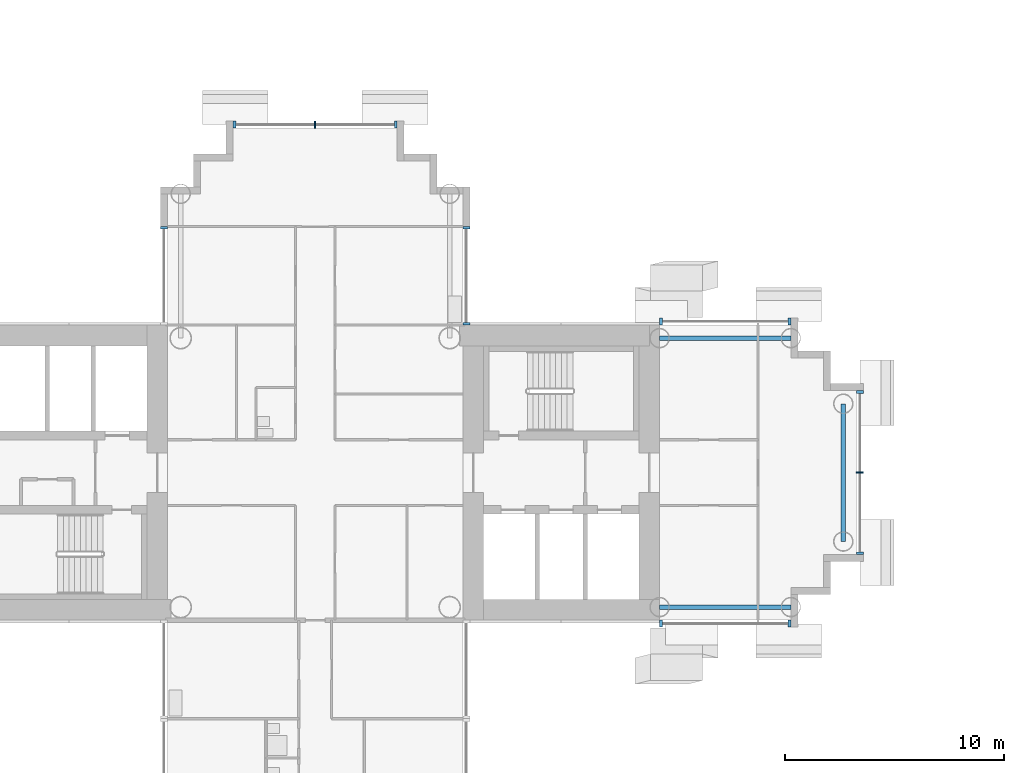
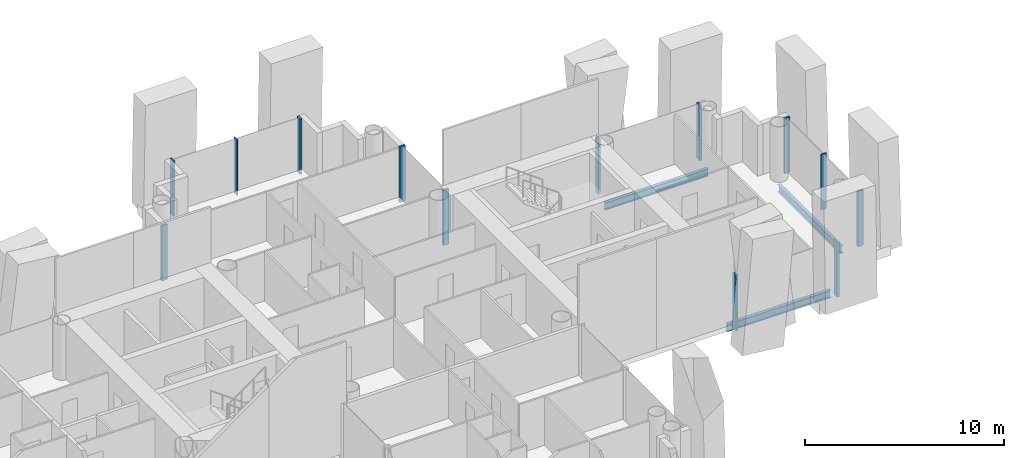
# One storey, part 4 of 21: 13 members, 3 beams, 6 elements without a shape of their own.
"""IFC4 building model written with IfcOpenShell, lengths in metres."""

from ifc_helpers import new_model, si_unit, direction, frame, origin, origin_2d, place, context, subcontext, project, spatial, rectangle, i_section, extrude, material, layer, layer_set, material_profile, profile_set, type_object, element, aggregate, save


model = new_model("IFC4")

# Units and contexts
model_context = context("Model", 3, precision=1e-05, world=origin(), true_north=direction((0.0, 1.0)))
body_context = subcontext(model_context, "Body", "Model", "MODEL_VIEW")
ifc_project = project(units=[si_unit("LENGTHUNIT", "METRE"), si_unit("AREAUNIT", "SQUARE_METRE"), si_unit("VOLUMEUNIT", "CUBIC_METRE"), si_unit("PLANEANGLEUNIT", "RADIAN"), si_unit("MASSUNIT", "GRAM", prefix="KILO")], contexts=[model_context])

# Site, building, storey
site_placement = place(None, origin())
site = spatial("IfcSite", under=ifc_project, at=site_placement, CompositionType="ELEMENT")
building_placement = place(site_placement, origin())
building = spatial("IfcBuilding", under=site, at=building_placement, Name="Ipe Terrace Towers", CompositionType="ELEMENT")
storey_placement = place(building_placement, frame((0.0, 0.0, 93.60009765625)))
storey = spatial("IfcBuildingStorey", under=building, at=storey_placement, Name="L25", CompositionType="ELEMENT", Elevation=93.60009765625)

# Beams
ifc_material_1 = material(Name="Steel S355", Category="steel")
ifc_material_profile_1 = material_profile(ifc_material_1, i_section(OverallWidth=0.199951171875, OverallDepth=0.449951171875, WebThickness=0.009033203125, FlangeThickness=0.013916015625, at=origin_2d()), Name="H-450x200x9x14")
ifc_profile_set_1 = profile_set([ifc_material_profile_1], Name="Steel S355")
beam_type = type_object("IfcBeamType", Name="H08 EDGE BEAM H-450x200x9x14", PredefinedType="BEAM", material=ifc_profile_set_1)
for number, where, z_axis, x_axis, name in (
    (1, (-20.25, -6.14990234375, -0.625), (1.0, 0.0, 0.0), (0.0, 1.0, 0.0), "Edge beam T1-EB-A01-A03"),
    (2, (-20.25, 6.14990234375, -0.625), (1.0, 0.0, 0.0), (0.0, 1.0, 0.0), "Edge beam T1-EB-A02-A04"),
):
    element("IfcBeam", number, at=place(storey_placement, frame(where, z_axis=z_axis, x_axis=x_axis)), inside=storey, type_object=beam_type, Name=name, PredefinedType="BEAM", context=body_context, shape_type="SweptSolid", body=[
        extrude(i_section(OverallWidth=0.199951171875, OverallDepth=0.449951171875, WebThickness=0.009033203125, FlangeThickness=0.013916015625, at=origin_2d()), origin(), (0.0, 0.0, 1.0), 6.0),
    ])
beam_placement = place(storey_placement, frame((-11.85009765625, -3.14990234375, -0.625), z_axis=(0.0, 1.0, 0.0), x_axis=(-1.0, 0.0, 0.0)))
element("IfcBeam", 3, at=beam_placement, inside=storey, type_object=beam_type, Name="Edge beam T1-EB-A05-A06", PredefinedType="BEAM", context=body_context, shape_type="SweptSolid", body=[
    extrude(i_section(OverallWidth=0.199951171875, OverallDepth=0.449951171875, WebThickness=0.009033203125, FlangeThickness=0.013916015625, at=origin_2d()), origin(), (0.0, 0.0, 1.0), 6.2998046875),
])

# Curtain wall, members
ifc_material_2 = material(Name="Aluminium alloy 6063-T6", Category="aluminium")
ifc_layer = layer(ifc_material_2, 0.320068359375)
ifc_layer_set = layer_set([ifc_layer], Name="TOWER UNITISED CURTAIN WALL")
curtain_wall_type = type_object("IfcCurtainWallType", Name="TOWER UNITISED CURTAIN WALL", PredefinedType="NOTDEFINED", material=ifc_layer_set)
curtain_wall_1_placement = place(storey_placement, origin())
curtain_wall_1 = element("IfcCurtainWall", 4, at=curtain_wall_1_placement, inside=storey, type_object=curtain_wall_type, Name="T1-CW-L25-20b curtain wall", PredefinedType="NOTDEFINED")
ifc_material_3 = material(Name="Aluminium alloy 6063-T6", Category="aluminium")
ifc_material_profile_2 = material_profile(ifc_material_3, rectangle(XDim=0.320068359375, YDim=0.1201171875, at=origin_2d()), Name="TOWER UNITISED CORNER MULLION 320 x 120")
ifc_profile_set_2 = profile_set([ifc_material_profile_2], Name="Aluminium alloy 6063-T6")
member_type_1 = type_object("IfcMemberType", Name="TOWER UNITISED CORNER MULLION 320 x 120", PredefinedType="MULLION", material=ifc_profile_set_2)
member_1_placement = place(storey_placement, frame((-20.18896484375, -6.909912109375, -0.300048828125), z_axis=(0.0, 0.0, 1.0), x_axis=(0.0, -1.0, 0.0)))
member_1 = element("IfcMember", 5, at=member_1_placement, type_object=member_type_1, Name="T1-CW-L25-20b mullion 1", PredefinedType="MULLION", context=body_context, shape_type="SweptSolid", body=[
    extrude(rectangle(XDim=0.320068359375, YDim=0.1201171875, at=origin_2d()), origin(), (0.0, 0.0, 1.0), 3.39990234375),
])
member_2_placement = place(storey_placement, frame((-14.31005859375, -6.909912109375, -0.300048828125), z_axis=(0.0, 0.0, 1.0), x_axis=(0.0, -1.0, 0.0)))
member_2 = element("IfcMember", 6, at=member_2_placement, type_object=member_type_1, Name="T1-CW-L25-20b mullion 2", PredefinedType="MULLION", context=body_context, shape_type="SweptSolid", body=[
    extrude(rectangle(XDim=0.320068359375, YDim=0.1201171875, at=origin_2d()), origin(), (0.0, 0.0, 1.0), 3.39990234375),
])
aggregate(curtain_wall_1, [member_1, member_2])

curtain_wall_2_placement = place(storey_placement, origin())
curtain_wall_2 = element("IfcCurtainWall", 7, at=curtain_wall_2_placement, inside=storey, type_object=curtain_wall_type, Name="T1-CW-L25-25a curtain wall", PredefinedType="NOTDEFINED")
member_3_placement = place(storey_placement, frame((-11.090087890625, -3.68994140625, -0.300048828125), z_axis=(0.0, 0.0, 1.0), x_axis=(1.0, 0.0, 0.0)))
member_3 = element("IfcMember", 8, at=member_3_placement, type_object=member_type_1, Name="T1-CW-L25-25a mullion 1", PredefinedType="MULLION", context=body_context, shape_type="SweptSolid", body=[
    extrude(rectangle(XDim=0.320068359375, YDim=0.1201171875, at=origin_2d()), origin(), (0.0, 0.0, 1.0), 3.39990234375),
])
member_4_placement = place(storey_placement, frame((-11.090087890625, 3.68994140625, -0.300048828125), z_axis=(0.0, 0.0, 1.0), x_axis=(1.0, 0.0, 0.0)))
member_4 = element("IfcMember", 9, at=member_4_placement, type_object=member_type_1, Name="T1-CW-L25-25a mullion 3", PredefinedType="MULLION", context=body_context, shape_type="SweptSolid", body=[
    extrude(rectangle(XDim=0.320068359375, YDim=0.1201171875, at=origin_2d()), origin(), (0.0, 0.0, 1.0), 3.39990234375),
])

curtain_wall_3_placement = place(storey_placement, origin())
curtain_wall_3 = element("IfcCurtainWall", 10, at=curtain_wall_3_placement, inside=storey, type_object=curtain_wall_type, Name="T1-CW-L25-30a curtain wall", PredefinedType="NOTDEFINED")
member_5_placement = place(storey_placement, frame((-14.31005859375, 6.909912109375, -0.300048828125), z_axis=(0.0, 0.0, 1.0), x_axis=(0.0, 1.0, 0.0)))
member_5 = element("IfcMember", 11, at=member_5_placement, type_object=member_type_1, Name="T1-CW-L25-30a mullion 1", PredefinedType="MULLION", context=body_context, shape_type="SweptSolid", body=[
    extrude(rectangle(XDim=0.320068359375, YDim=0.1201171875, at=origin_2d()), origin(), (0.0, 0.0, 1.0), 3.39990234375),
])
member_6_placement = place(storey_placement, frame((-20.18896484375, 6.909912109375, -0.300048828125), z_axis=(0.0, 0.0, 1.0), x_axis=(0.0, 1.0, 0.0)))
member_6 = element("IfcMember", 12, at=member_6_placement, type_object=member_type_1, Name="T1-CW-L25-30a mullion 2", PredefinedType="MULLION", context=body_context, shape_type="SweptSolid", body=[
    extrude(rectangle(XDim=0.320068359375, YDim=0.1201171875, at=origin_2d()), origin(), (0.0, 0.0, 1.0), 3.39990234375),
])
aggregate(curtain_wall_3, [member_5, member_6])

curtain_wall_4_placement = place(storey_placement, origin())
curtain_wall_4 = element("IfcCurtainWall", 13, at=curtain_wall_4_placement, inside=storey, type_object=curtain_wall_type, Name="T1-CW-L25-32a curtain wall", PredefinedType="NOTDEFINED")
member_7_placement = place(storey_placement, frame((-29.090087890625, 6.81005859375, -0.300048828125), z_axis=(0.0, 0.0, 1.0), x_axis=(1.0, 0.0, 0.0)))
member_7 = element("IfcMember", 14, at=member_7_placement, type_object=member_type_1, Name="T1-CW-L25-32a mullion 1", PredefinedType="MULLION", context=body_context, shape_type="SweptSolid", body=[
    extrude(rectangle(XDim=0.320068359375, YDim=0.1201171875, at=origin_2d()), origin(), (0.0, 0.0, 1.0), 3.39990234375),
])
member_8_placement = place(storey_placement, frame((-29.090087890625, 11.18994140625, -0.300048828125), z_axis=(0.0, 0.0, 1.0), x_axis=(1.0, 0.0, 0.0)))
member_8 = element("IfcMember", 15, at=member_8_placement, type_object=member_type_1, Name="T1-CW-L25-32a mullion 2", PredefinedType="MULLION", context=body_context, shape_type="SweptSolid", body=[
    extrude(rectangle(XDim=0.320068359375, YDim=0.1201171875, at=origin_2d()), origin(), (0.0, 0.0, 1.0), 3.39990234375),
])
aggregate(curtain_wall_4, [member_7, member_8])

curtain_wall_5_placement = place(storey_placement, origin())
curtain_wall_5 = element("IfcCurtainWall", 16, at=curtain_wall_5_placement, inside=storey, type_object=curtain_wall_type, Name="T1-CW-L25-38a curtain wall", PredefinedType="NOTDEFINED")
member_9_placement = place(storey_placement, frame((-32.31005859375, 15.909912109375, -0.300048828125), z_axis=(0.0, 0.0, 1.0), x_axis=(0.0, 1.0, 0.0)))
member_9 = element("IfcMember", 17, at=member_9_placement, type_object=member_type_1, Name="T1-CW-L25-38a mullion 1", PredefinedType="MULLION", context=body_context, shape_type="SweptSolid", body=[
    extrude(rectangle(XDim=0.320068359375, YDim=0.1201171875, at=origin_2d()), origin(), (0.0, 0.0, 1.0), 3.39990234375),
])
member_10_placement = place(storey_placement, frame((-39.68994140625, 15.909912109375, -0.300048828125), z_axis=(0.0, 0.0, 1.0), x_axis=(0.0, 1.0, 0.0)))
member_10 = element("IfcMember", 18, at=member_10_placement, type_object=member_type_1, Name="T1-CW-L25-38a mullion 3", PredefinedType="MULLION", context=body_context, shape_type="SweptSolid", body=[
    extrude(rectangle(XDim=0.320068359375, YDim=0.1201171875, at=origin_2d()), origin(), (0.0, 0.0, 1.0), 3.39990234375),
])

# Curtain wall, member
curtain_wall_6_placement = place(storey_placement, origin())
curtain_wall_6 = element("IfcCurtainWall", 19, at=curtain_wall_6_placement, inside=storey, type_object=curtain_wall_type, Name="T1-CW-L25-44a curtain wall", PredefinedType="NOTDEFINED")
member_11_placement = place(storey_placement, frame((-42.909912109375, 11.18994140625, -0.300048828125), z_axis=(0.0, 0.0, 1.0), x_axis=(-1.0, 0.0, 0.0)))
member_11 = element("IfcMember", 20, at=member_11_placement, type_object=member_type_1, Name="T1-CW-L25-44a mullion 1", PredefinedType="MULLION", context=body_context, shape_type="SweptSolid", body=[
    extrude(rectangle(XDim=0.320068359375, YDim=0.1201171875, at=origin_2d()), origin(), (0.0, 0.0, 1.0), 3.39990234375),
])
aggregate(curtain_wall_6, [member_11])

# Member
ifc_material_4 = material(Name="Aluminium alloy 6063-T6", Category="aluminium")
ifc_material_profile_3 = material_profile(ifc_material_4, rectangle(XDim=0.320068359375, YDim=0.06494140625, at=origin_2d()), Name="TOWER UNITISED MULLION 320 x 65")
ifc_profile_set_3 = profile_set([ifc_material_profile_3], Name="Aluminium alloy 6063-T6")
member_type_2 = type_object("IfcMemberType", Name="TOWER UNITISED MULLION 320 x 65", PredefinedType="MULLION", material=ifc_profile_set_3)
member_12_placement = place(storey_placement, frame((-11.090087890625, 0.0, -0.300048828125), z_axis=(0.0, 0.0, 1.0), x_axis=(1.0, 0.0, 0.0)))
member_12 = element("IfcMember", 21, at=member_12_placement, type_object=member_type_2, Name="T1-CW-L25-25a mullion 2", PredefinedType="MULLION", context=body_context, shape_type="SweptSolid", body=[
    extrude(rectangle(XDim=0.320068359375, YDim=0.06494140625, at=origin_2d()), origin(), (0.0, 0.0, 1.0), 3.39990234375),
])

aggregate(curtain_wall_2, [member_3, member_12, member_4])

member_13_placement = place(storey_placement, frame((-36.0, 15.909912109375, -0.300048828125), z_axis=(0.0, 0.0, 1.0), x_axis=(0.0, 1.0, 0.0)))
member_13 = element("IfcMember", 22, at=member_13_placement, type_object=member_type_2, Name="T1-CW-L25-38a mullion 2", PredefinedType="MULLION", context=body_context, shape_type="SweptSolid", body=[
    extrude(rectangle(XDim=0.320068359375, YDim=0.06494140625, at=origin_2d()), origin(), (0.0, 0.0, 1.0), 3.39990234375),
])

aggregate(curtain_wall_5, [member_9, member_13, member_10])

save(model, "model.ifc")
